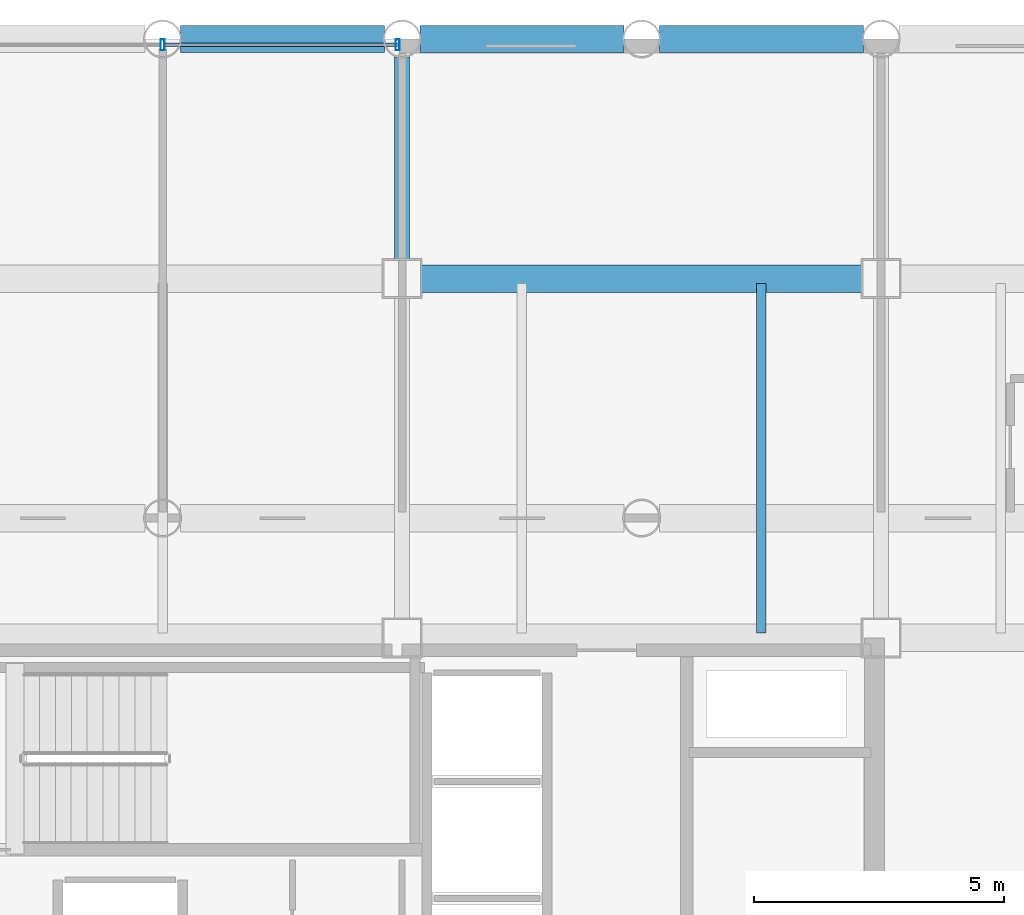
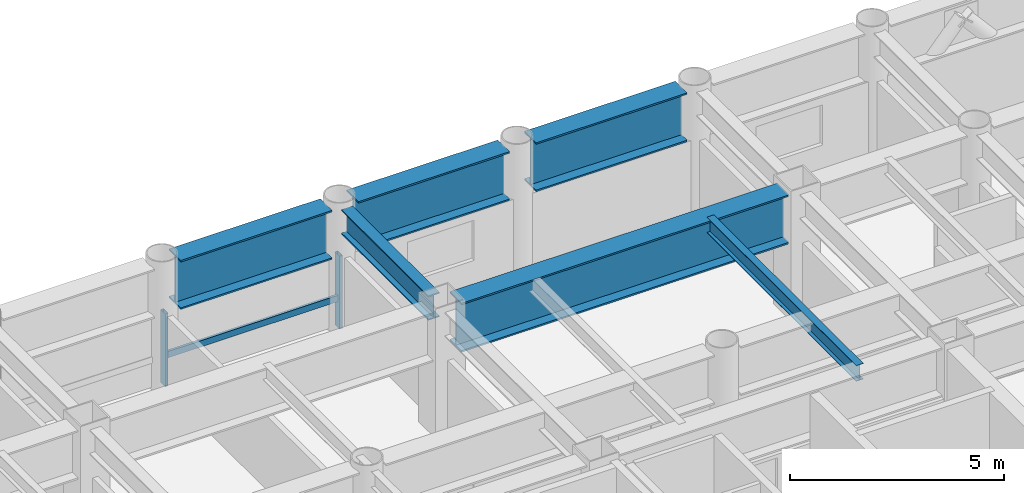
# One storey, part 15 of 26: 6 beams, 3 members, 1 element without a shape of its own.
"""IFC4 building model written with IfcOpenShell, lengths in metres."""

import ifcopenshell
import ifcopenshell.guid

model = None  # the IFC model being written
_history = None  # IfcOwnerHistory: only IFC2X3 demands one
_inside = {}  # id of a spatial element -> (the spatial element, [elements in it])
_under = {}  # id of a project, library or spatial element -> (it, [spatial elements below it])
_declared = {}  # id of a project -> (the project, [libraries it declares])
_typed = {}  # id of a type object -> (the type object, [elements of that type])
_made_of = {}  # id of a material, layer set ... -> (it, [elements and type objects made of it])


def new_model(schema):
    """Start an empty IFC model of exactly this schema.

    Asked for "IFC4X3", IfcOpenShell would pick the latest addendum, in which some entities
    have other attributes; the version numbers below select the first issue.
    IFC2X3 requires an IfcOwnerHistory on every rooted entity: one is made here for all.
    """
    global model, _history
    if schema == "IFC4X3":
        model = ifcopenshell.file(schema_version=(4, 3, 0, 0))
    else:
        model = ifcopenshell.file(schema=schema)
    _inside.clear()
    _under.clear()
    _declared.clear()
    _typed.clear()
    _made_of.clear()
    _history = None
    if model.schema == "IFC2X3":
        org = make("IfcOrganization", Name="unknown")
        user = make(
            "IfcPersonAndOrganization",
            ThePerson=make("IfcPerson", FamilyName="unknown"),
            TheOrganization=org,
        )
        app = make(
            "IfcApplication",
            ApplicationDeveloper=org,
            Version="unknown",
            ApplicationFullName="unknown",
            ApplicationIdentifier="unknown",
        )
        _history = make(
            "IfcOwnerHistory",
            OwningUser=user,
            OwningApplication=app,
            ChangeAction="ADDED",
            CreationDate=0,
        )
    return model


def make(cls, **values):
    """One entity of the class cls with the attributes given. An attribute that is None is left unset."""
    return model.create_entity(
        cls, **{name: value for name, value in values.items() if value is not None}
    )


def rooted(cls, **values):
    """An entity with a GlobalId (a new one), such as an element, a storey or a relation."""
    return make(cls, GlobalId=ifcopenshell.guid.new(), OwnerHistory=_history, **values)


def si_unit(unit_type, name, prefix=None):
    """IfcSIUnit, for example si_unit("LENGTHUNIT", "METRE", prefix="MILLI")."""
    return make("IfcSIUnit", UnitType=unit_type, Prefix=prefix, Name=name)


def assignment(units):
    """IfcUnitAssignment: the units of a project."""
    return None if units is None else make("IfcUnitAssignment", Units=units)


def point(xyz):
    """IfcCartesianPoint."""
    return None if xyz is None else make("IfcCartesianPoint", Coordinates=xyz)


def direction(xyz):
    """IfcDirection."""
    return None if xyz is None else make("IfcDirection", DirectionRatios=xyz)


def frame(location, z_axis=None, x_axis=None):
    """IfcAxis2Placement3D, a coordinate frame: its origin and axes. An axis left out is left unset."""
    return make(
        "IfcAxis2Placement3D",
        Location=point(location),
        Axis=direction(z_axis),
        RefDirection=direction(x_axis),
    )


def frame_2d(location, x_axis=None):
    """IfcAxis2Placement2D, a coordinate frame in the plane: its origin and x axis."""
    return make(
        "IfcAxis2Placement2D", Location=point(location), RefDirection=direction(x_axis)
    )


def origin():
    """The frame at (0, 0, 0) with its axes left unset."""
    return frame((0.0, 0.0, 0.0))


def origin_2d():
    """The frame at (0, 0) in the plane with its x axis left unset."""
    return frame_2d((0.0, 0.0))


def place(relative_to, where):
    """IfcLocalPlacement: puts the frame where relative to a parent placement (None: the world)."""
    return make(
        "IfcLocalPlacement", PlacementRelTo=relative_to, RelativePlacement=where
    )


def context(
    kind, dimensions, precision=None, world=None, true_north=None, identifier=None
):
    """IfcGeometricRepresentationContext, for example the 3D "Model" context."""
    return make(
        "IfcGeometricRepresentationContext",
        ContextIdentifier=identifier,
        ContextType=kind,
        CoordinateSpaceDimension=dimensions,
        Precision=precision,
        WorldCoordinateSystem=world,
        TrueNorth=true_north,
    )


def subcontext(parent, identifier, kind, view, scale=None):
    """IfcGeometricRepresentationSubContext, for example "Body" below "Model"."""
    return make(
        "IfcGeometricRepresentationSubContext",
        ContextIdentifier=identifier,
        ContextType=kind,
        ParentContext=parent,
        TargetScale=scale,
        TargetView=view,
    )


def project(units=None, contexts=None):
    """IfcProject with its units and contexts."""
    return rooted(
        "IfcProject",
        Name="project",
        RepresentationContexts=contexts,
        UnitsInContext=assignment(units),
    )


def spatial(cls, under=None, at=None, **own):
    """A site, building, storey or space (cls), placed at a placement, below another one or the project."""
    s = rooted(cls, ObjectPlacement=at, **own)
    if under is not None:
        _under.setdefault(under.id(), (under, []))[1].append(s)
    return s


def profile(cls, at=None, kind="AREA", **sizes):
    """A parametric profile (cls). Its sizes go by their IFC names, for example OverallWidth=200.0."""
    return make(cls, ProfileType=kind, Position=at, **sizes)


def hollow_rectangle(**sizes):
    """IfcRectangleHollowProfileDef."""
    return profile("IfcRectangleHollowProfileDef", **sizes)


def i_section(**sizes):
    """IfcIShapeProfileDef."""
    return profile("IfcIShapeProfileDef", **sizes)


def extrude(swept, where, along, depth):
    """IfcExtrudedAreaSolid: the profile swept, set in the frame where, extruded along a direction by depth."""
    return make(
        "IfcExtrudedAreaSolid",
        SweptArea=swept,
        Position=where,
        ExtrudedDirection=direction(along),
        Depth=depth,
    )


def shape(context_of_items, identifier, shape_type, items):
    """IfcShapeRepresentation: the items that make up one representation, for example the "Body"."""
    return make(
        "IfcShapeRepresentation",
        ContextOfItems=context_of_items,
        RepresentationIdentifier=identifier,
        RepresentationType=shape_type,
        Items=items,
    )


def material(Name=None, Category=None):
    """IfcMaterial."""
    return make("IfcMaterial", Name=Name, Category=Category)


def layer(
    of_material, thickness, ventilated=None, Name=None, Category=None, Priority=None
):
    """IfcMaterialLayer: one layer of a wall or slab, of a material (None: an air gap)."""
    return make(
        "IfcMaterialLayer",
        Material=of_material,
        LayerThickness=thickness,
        IsVentilated=ventilated,
        Name=Name,
        Category=Category,
        Priority=Priority,
    )


def layer_set(layers, Name=None):
    """IfcMaterialLayerSet."""
    return make("IfcMaterialLayerSet", MaterialLayers=layers, LayerSetName=Name)


def material_profile(
    of_material, cross_section, Name=None, Category=None, Priority=None
):
    """IfcMaterialProfile: a cross section and its material."""
    return make(
        "IfcMaterialProfile",
        Name=Name,
        Material=of_material,
        Profile=cross_section,
        Priority=Priority,
        Category=Category,
    )


def profile_set(profiles, Name=None, composite=None):
    """IfcMaterialProfileSet."""
    return make(
        "IfcMaterialProfileSet",
        Name=Name,
        MaterialProfiles=profiles,
        CompositeProfile=composite,
    )


def made_of(thing, what):
    """Note that an element or type object is made of a material, layer set ...; save() writes the relation."""
    if what is not None:
        _made_of.setdefault(what.id(), (what, []))[1].append(thing)
    return thing


def type_object(cls, material=None, **own):
    """A type object (cls), such as IfcWallType, which elements share."""
    return made_of(rooted(cls, **own), material)


def element(
    cls,
    number,
    at=None,
    inside=None,
    cuts=None,
    type_object=None,
    material=None,
    context=None,
    identifier="Body",
    shape_type=None,
    held_by="IfcProductDefinitionShape",
    body=None,
    shapes=None,
    **own,
):
    """One element of the class cls, such as IfcWall. Its Tag is "e" and its number.

    at: its placement. inside: the storey or other place that contains it. cuts: it is an
    opening in that element (IfcRelVoidsElement). A single representation is given by context,
    identifier, shape_type and body (its items); several are given by shapes. held_by: the class
    of the entity that holds the representations. save() writes the other relations.
    """
    e = rooted(cls, Tag="e%d" % number, ObjectPlacement=at, **own)
    if body is not None:
        shapes = [shape(context, identifier, shape_type, body)]
    if shapes is not None:
        e.Representation = make(held_by, Representations=shapes)
    if inside is not None:
        _inside.setdefault(inside.id(), (inside, []))[1].append(e)
    if cuts is not None:
        rooted(
            "IfcRelVoidsElement", RelatingBuildingElement=cuts, RelatedOpeningElement=e
        )
    if type_object is not None:
        _typed.setdefault(type_object.id(), (type_object, []))[1].append(e)
    return made_of(e, material)


def aggregate(whole, parts):
    """IfcRelAggregates: a whole, such as a stair, and the parts it consists of."""
    return rooted("IfcRelAggregates", RelatingObject=whole, RelatedObjects=parts)


def save(model, path):
    """Write the relations noted so far, then the file.

    IfcRelAggregates (storeys below a building ...), IfcRelContainedInSpatialStructure (elements
    in a storey), IfcRelDefinesByType, IfcRelAssociatesMaterial and IfcRelDeclares: one each for
    every whole, place, type object, material and project.
    """
    for whole, parts in _under.values():
        aggregate(whole, parts)
    for where, things in _inside.values():
        rooted(
            "IfcRelContainedInSpatialStructure",
            RelatedElements=things,
            RelatingStructure=where,
        )
    for kind, things in _typed.values():
        rooted("IfcRelDefinesByType", RelatedObjects=things, RelatingType=kind)
    for what, things in _made_of.values():
        rooted("IfcRelAssociatesMaterial", RelatedObjects=things, RelatingMaterial=what)
    for by, libraries in _declared.values():
        rooted("IfcRelDeclares", RelatingContext=by, RelatedDefinitions=libraries)
    model.write(path)


model = new_model("IFC4")

# Units and contexts
model_context = context("Model", 3, precision=1e-05, world=origin(), true_north=direction((0.0, 1.0)))
body_context = subcontext(model_context, "Body", "Model", "MODEL_VIEW")
ifc_project = project(units=[si_unit("LENGTHUNIT", "METRE"), si_unit("AREAUNIT", "SQUARE_METRE"), si_unit("VOLUMEUNIT", "CUBIC_METRE"), si_unit("PLANEANGLEUNIT", "RADIAN"), si_unit("MASSUNIT", "GRAM", prefix="KILO")], contexts=[model_context])

# Site, building, storey
site_placement = place(None, origin())
site = spatial("IfcSite", under=ifc_project, at=site_placement, CompositionType="ELEMENT")
building_placement = place(site_placement, origin())
building = spatial("IfcBuilding", under=site, at=building_placement, Name="Kallvorn Hotel Tower", CompositionType="ELEMENT")
storey_placement = place(building_placement, frame((0.0, 0.0, 55.89990234375)))
storey = spatial("IfcBuildingStorey", under=building, at=storey_placement, Name="L12", CompositionType="ELEMENT", Elevation=55.89990234375)

# Beams
ifc_material_1 = material(Name="Structural steel S355JR", Category="steel")
ifc_material_profile_1 = material_profile(ifc_material_1, i_section(OverallWidth=0.300048828125, OverallDepth=0.699951171875, WebThickness=0.01708984375, FlangeThickness=0.031982421875, at=origin_2d()), Name="HE 700 B")
ifc_profile_set_1 = profile_set([ifc_material_profile_1], Name="Structural steel S355JR")
beam_type_1 = type_object("IfcBeamType", Name="BM_HE700B", PredefinedType="BEAM", material=ifc_profile_set_1)
beam_1_placement = place(storey_placement, frame((4.800048828125, 14.77490234375, 3.170166015625), z_axis=(0.0, 1.0, 0.0), x_axis=(-1.0, 0.0, 0.0)))
element("IfcBeam", 1, at=beam_1_placement, inside=storey, type_object=beam_type_1, Name="L13 Primary Y-Girder 127", PredefinedType="BEAM", context=body_context, shape_type="SweptSolid", body=[
    extrude(i_section(OverallWidth=0.300048828125, OverallDepth=0.699951171875, WebThickness=0.01708984375, FlangeThickness=0.031982421875, at=origin_2d()), origin(), (0.0, 0.0, 1.0), 4.069091796875),
])
ifc_material_2 = material(Name="Structural steel S355JR", Category="steel")
ifc_material_profile_2 = material_profile(ifc_material_2, i_section(OverallWidth=0.18994140625, OverallDepth=0.449951171875, WebThickness=0.009521484375, FlangeThickness=0.0146484375, at=origin_2d()), Name="IPE 450")
ifc_profile_set_2 = profile_set([ifc_material_profile_2], Name="Structural steel S355JR")
beam_type_2 = type_object("IfcBeamType", Name="BM_IPE450", PredefinedType="JOIST", material=ifc_profile_set_2)
beam_2_placement = place(storey_placement, frame((12.0, 7.300048828125, 3.295166015625), z_axis=(0.0, 1.0, 0.0), x_axis=(-1.0, 0.0, 0.0)))
element("IfcBeam", 2, at=beam_2_placement, inside=storey, type_object=beam_type_2, Name="L13 Secondary Composite Joist 214", PredefinedType="JOIST", context=body_context, shape_type="SweptSolid", body=[
    extrude(i_section(OverallWidth=0.18994140625, OverallDepth=0.449951171875, WebThickness=0.009521484375, FlangeThickness=0.0146484375, at=origin_2d()), origin(), (0.0, 0.0, 1.0), 7.0),
])
ifc_material_3 = material(Name="Structural steel S355JR", Category="steel")
ifc_material_profile_3 = material_profile(ifc_material_3, i_section(OverallWidth=0.550048828125, OverallDepth=1.39990234375, WebThickness=0.02490234375, FlangeThickness=0.044921875, at=origin_2d()), Name="PG 1400x550x25x45")
ifc_profile_set_3 = profile_set([ifc_material_profile_3], Name="Structural steel S355JR")
beam_type_3 = type_object("IfcBeamType", Name="BM_PG_1400", PredefinedType="BEAM", material=ifc_profile_set_3)
beam_3_placement = place(storey_placement, frame((5.175048828125, 14.39990234375, 2.820068359375), z_axis=(1.0, 0.0, 0.0), x_axis=(0.0, 1.0, 0.0)))
element("IfcBeam", 3, at=beam_3_placement, inside=storey, type_object=beam_type_3, Name="L13 Primary X-Girder 66", PredefinedType="BEAM", context=body_context, shape_type="SweptSolid", body=[
    extrude(i_section(OverallWidth=0.550048828125, OverallDepth=1.39990234375, WebThickness=0.02490234375, FlangeThickness=0.044921875, at=origin_2d()), origin(), (0.0, 0.0, 1.0), 8.849853515625),
])
beam_4_placement = place(storey_placement, frame((0.35595703125, 19.199951171875, 2.820068359375), z_axis=(1.0, 0.0, 0.0), x_axis=(0.0, 1.0, 0.0)))
element("IfcBeam", 4, at=beam_4_placement, inside=storey, type_object=beam_type_3, Name="L13 Primary X-Girder 76", PredefinedType="BEAM", context=body_context, shape_type="SweptSolid", body=[
    extrude(i_section(OverallWidth=0.550048828125, OverallDepth=1.39990234375, WebThickness=0.02490234375, FlangeThickness=0.044921875, at=origin_2d()), origin(), (0.0, 0.0, 1.0), 4.088134765625),
])
for number, where, z_axis, x_axis, name in (
    (5, (5.156005859375, 19.199951171875, 2.820068359375), (1.0, 0.0, 0.0), (0.0, 1.0, 0.0), "L13 Primary X-Girder 77"),
    (6, (9.9560546875, 19.199951171875, 2.820068359375), (1.0, 0.0, 0.0), (0.0, 1.0, 0.0), "L13 Primary X-Girder 78"),
):
    element("IfcBeam", number, at=place(storey_placement, frame(where, z_axis=z_axis, x_axis=x_axis)), inside=storey, type_object=beam_type_3, Name=name, PredefinedType="BEAM", context=body_context, shape_type="SweptSolid", body=[
        extrude(i_section(OverallWidth=0.550048828125, OverallDepth=1.39990234375, WebThickness=0.02490234375, FlangeThickness=0.044921875, at=origin_2d()), origin(), (0.0, 0.0, 1.0), 4.087890625),
    ])

# Curtain wall, members
ifc_material_4 = material(Name="Thermally broken black-anodised aluminium AA 6063-T6", Category="aluminium")
ifc_layer = layer(ifc_material_4, 0.199951171875)
ifc_layer_set = layer_set([ifc_layer], Name="CW_SYS_3_HOTEL_LOW")
curtain_wall_type = type_object("IfcCurtainWallType", Name="CW_SYS_3_HOTEL_LOW", PredefinedType="USERDEFINED", material=ifc_layer_set)
curtain_wall_placement = place(storey_placement, origin())
curtain_wall = element("IfcCurtainWall", 7, at=curtain_wall_placement, inside=storey, type_object=curtain_wall_type, Name="L12 Dark-Glass Curtain Wall CW-L12-NC", ObjectType="UNITISED CURTAIN WALL", PredefinedType="USERDEFINED")
ifc_material_5 = material(Name="Thermally broken black-anodised aluminium AA 6063-T6", Category="aluminium")
ifc_material_profile_4 = material_profile(ifc_material_5, hollow_rectangle(XDim=0.080078125, YDim=0.219970703125, WallThickness=0.0048828125, at=origin_2d()), Name="MUL 220x80")
ifc_profile_set_4 = profile_set([ifc_material_profile_4], Name="Thermally broken black-anodised aluminium AA 6063-T6")
member_type_1 = type_object("IfcMemberType", Name="CW_MULLION_220x80", PredefinedType="MULLION", material=ifc_profile_set_4)
member_1_placement = place(storey_placement, frame((0.0, 19.080078125, 0.02001953125), z_axis=(0.0, 0.0, 1.0), x_axis=(1.0, 0.0, 0.0)))
member_1 = element("IfcMember", 8, at=member_1_placement, type_object=member_type_1, Name="CW-L12-NC Mullion 01", PredefinedType="MULLION", context=body_context, shape_type="SweptSolid", body=[
    extrude(hollow_rectangle(XDim=0.080078125, YDim=0.219970703125, WallThickness=0.0048828125, at=origin_2d()), origin(), (0.0, 0.0, 1.0), 2.080078125),
])
member_2_placement = place(storey_placement, frame((4.7099609375, 19.080078125, 0.02001953125), z_axis=(0.0, 0.0, 1.0), x_axis=(1.0, 0.0, 0.0)))
member_2 = element("IfcMember", 9, at=member_2_placement, type_object=member_type_1, Name="CW-L12-NC Mullion 02", PredefinedType="MULLION", context=body_context, shape_type="SweptSolid", body=[
    extrude(hollow_rectangle(XDim=0.080078125, YDim=0.219970703125, WallThickness=0.0048828125, at=origin_2d()), origin(), (0.0, 0.0, 1.0), 2.080078125),
])
ifc_material_6 = material(Name="Thermally broken black-anodised aluminium AA 6063-T6", Category="aluminium")
ifc_material_profile_5 = material_profile(ifc_material_6, hollow_rectangle(XDim=0.070068359375, YDim=0.179931640625, WallThickness=0.00390625, at=origin_2d()), Name="TRN 180x70")
ifc_profile_set_5 = profile_set([ifc_material_profile_5], Name="Thermally broken black-anodised aluminium AA 6063-T6")
member_type_2 = type_object("IfcMemberType", Name="CW_TRANSOM_180x70", PredefinedType="USERDEFINED", material=ifc_profile_set_5)
member_3_placement = place(storey_placement, frame((0.0400390625, 19.080078125, 0.85009765625), z_axis=(1.0, 0.0, 0.0), x_axis=(0.0, 1.0, 0.0)))
member_3 = element("IfcMember", 10, at=member_3_placement, type_object=member_type_2, Name="CW-L12-NC Transom 01M", ObjectType="TRANSOM", PredefinedType="USERDEFINED", context=body_context, shape_type="SweptSolid", body=[
    extrude(hollow_rectangle(XDim=0.070068359375, YDim=0.179931640625, WallThickness=0.00390625, at=origin_2d()), origin(), (0.0, 0.0, 1.0), 4.669921875),
])
aggregate(curtain_wall, [member_1, member_2, member_3])

save(model, "model.ifc")
